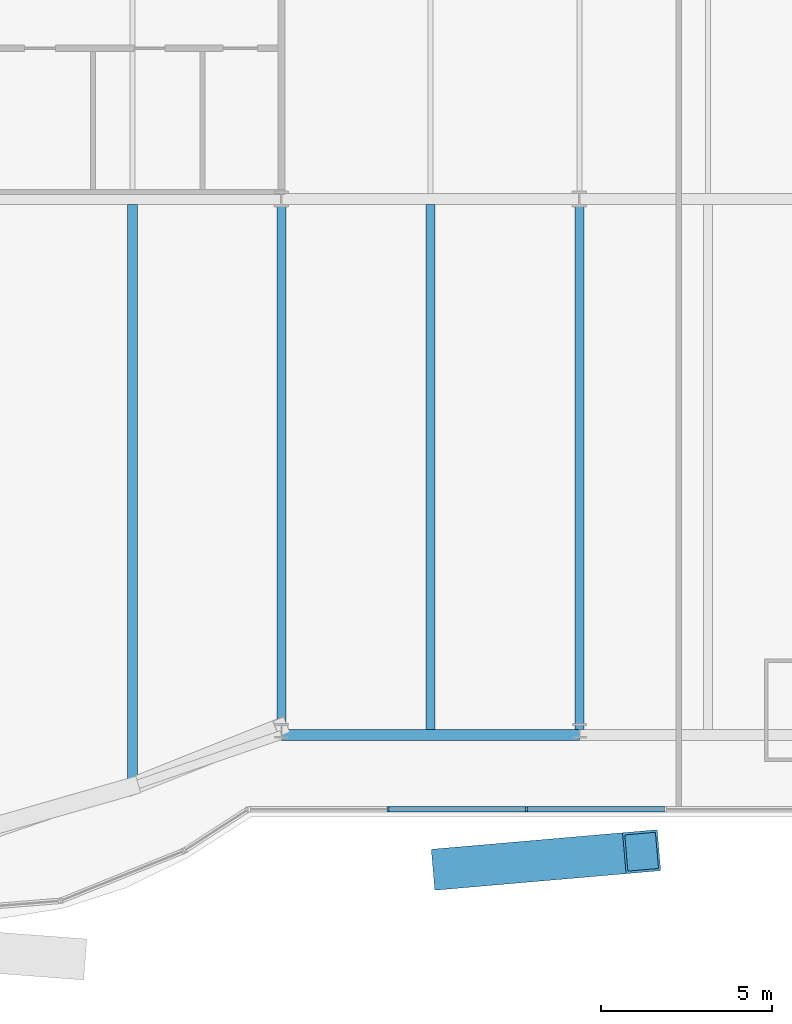
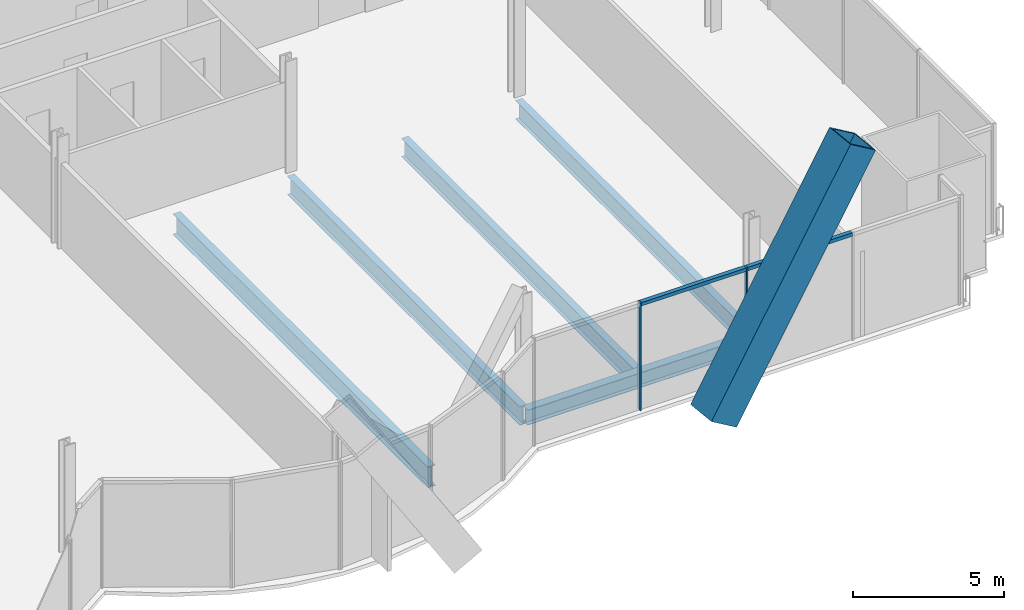
# One storey, part 9 of 22: 5 beams, 5 members, 1 element without a shape of its own.
"""IFC4 building model written with IfcOpenShell, lengths in metres."""

import ifcopenshell
import ifcopenshell.guid

model = None  # the IFC model being written
_history = None  # IfcOwnerHistory: only IFC2X3 demands one
_inside = {}  # id of a spatial element -> (the spatial element, [elements in it])
_under = {}  # id of a project, library or spatial element -> (it, [spatial elements below it])
_declared = {}  # id of a project -> (the project, [libraries it declares])
_typed = {}  # id of a type object -> (the type object, [elements of that type])
_made_of = {}  # id of a material, layer set ... -> (it, [elements and type objects made of it])


def new_model(schema):
    """Start an empty IFC model of exactly this schema.

    Asked for "IFC4X3", IfcOpenShell would pick the latest addendum, in which some entities
    have other attributes; the version numbers below select the first issue.
    IFC2X3 requires an IfcOwnerHistory on every rooted entity: one is made here for all.
    """
    global model, _history
    if schema == "IFC4X3":
        model = ifcopenshell.file(schema_version=(4, 3, 0, 0))
    else:
        model = ifcopenshell.file(schema=schema)
    _inside.clear()
    _under.clear()
    _declared.clear()
    _typed.clear()
    _made_of.clear()
    _history = None
    if model.schema == "IFC2X3":
        org = make("IfcOrganization", Name="unknown")
        user = make(
            "IfcPersonAndOrganization",
            ThePerson=make("IfcPerson", FamilyName="unknown"),
            TheOrganization=org,
        )
        app = make(
            "IfcApplication",
            ApplicationDeveloper=org,
            Version="unknown",
            ApplicationFullName="unknown",
            ApplicationIdentifier="unknown",
        )
        _history = make(
            "IfcOwnerHistory",
            OwningUser=user,
            OwningApplication=app,
            ChangeAction="ADDED",
            CreationDate=0,
        )
    return model


def make(cls, **values):
    """One entity of the class cls with the attributes given. An attribute that is None is left unset."""
    return model.create_entity(
        cls, **{name: value for name, value in values.items() if value is not None}
    )


def rooted(cls, **values):
    """An entity with a GlobalId (a new one), such as an element, a storey or a relation."""
    return make(cls, GlobalId=ifcopenshell.guid.new(), OwnerHistory=_history, **values)


def si_unit(unit_type, name, prefix=None):
    """IfcSIUnit, for example si_unit("LENGTHUNIT", "METRE", prefix="MILLI")."""
    return make("IfcSIUnit", UnitType=unit_type, Prefix=prefix, Name=name)


def assignment(units):
    """IfcUnitAssignment: the units of a project."""
    return None if units is None else make("IfcUnitAssignment", Units=units)


def point(xyz):
    """IfcCartesianPoint."""
    return None if xyz is None else make("IfcCartesianPoint", Coordinates=xyz)


def direction(xyz):
    """IfcDirection."""
    return None if xyz is None else make("IfcDirection", DirectionRatios=xyz)


def frame(location, z_axis=None, x_axis=None):
    """IfcAxis2Placement3D, a coordinate frame: its origin and axes. An axis left out is left unset."""
    return make(
        "IfcAxis2Placement3D",
        Location=point(location),
        Axis=direction(z_axis),
        RefDirection=direction(x_axis),
    )


def frame_2d(location, x_axis=None):
    """IfcAxis2Placement2D, a coordinate frame in the plane: its origin and x axis."""
    return make(
        "IfcAxis2Placement2D", Location=point(location), RefDirection=direction(x_axis)
    )


def origin():
    """The frame at (0, 0, 0) with its axes left unset."""
    return frame((0.0, 0.0, 0.0))


def origin_2d():
    """The frame at (0, 0) in the plane with its x axis left unset."""
    return frame_2d((0.0, 0.0))


def place(relative_to, where):
    """IfcLocalPlacement: puts the frame where relative to a parent placement (None: the world)."""
    return make(
        "IfcLocalPlacement", PlacementRelTo=relative_to, RelativePlacement=where
    )


def context(
    kind, dimensions, precision=None, world=None, true_north=None, identifier=None
):
    """IfcGeometricRepresentationContext, for example the 3D "Model" context."""
    return make(
        "IfcGeometricRepresentationContext",
        ContextIdentifier=identifier,
        ContextType=kind,
        CoordinateSpaceDimension=dimensions,
        Precision=precision,
        WorldCoordinateSystem=world,
        TrueNorth=true_north,
    )


def subcontext(parent, identifier, kind, view, scale=None):
    """IfcGeometricRepresentationSubContext, for example "Body" below "Model"."""
    return make(
        "IfcGeometricRepresentationSubContext",
        ContextIdentifier=identifier,
        ContextType=kind,
        ParentContext=parent,
        TargetScale=scale,
        TargetView=view,
    )


def project(units=None, contexts=None):
    """IfcProject with its units and contexts."""
    return rooted(
        "IfcProject",
        Name="project",
        RepresentationContexts=contexts,
        UnitsInContext=assignment(units),
    )


def spatial(cls, under=None, at=None, **own):
    """A site, building, storey or space (cls), placed at a placement, below another one or the project."""
    s = rooted(cls, ObjectPlacement=at, **own)
    if under is not None:
        _under.setdefault(under.id(), (under, []))[1].append(s)
    return s


def profile(cls, at=None, kind="AREA", **sizes):
    """A parametric profile (cls). Its sizes go by their IFC names, for example OverallWidth=200.0."""
    return make(cls, ProfileType=kind, Position=at, **sizes)


def rectangle(**sizes):
    """IfcRectangleProfileDef."""
    return profile("IfcRectangleProfileDef", **sizes)


def hollow_rectangle(**sizes):
    """IfcRectangleHollowProfileDef."""
    return profile("IfcRectangleHollowProfileDef", **sizes)


def i_section(**sizes):
    """IfcIShapeProfileDef."""
    return profile("IfcIShapeProfileDef", **sizes)


def extrude(swept, where, along, depth):
    """IfcExtrudedAreaSolid: the profile swept, set in the frame where, extruded along a direction by depth."""
    return make(
        "IfcExtrudedAreaSolid",
        SweptArea=swept,
        Position=where,
        ExtrudedDirection=direction(along),
        Depth=depth,
    )


def shape(context_of_items, identifier, shape_type, items):
    """IfcShapeRepresentation: the items that make up one representation, for example the "Body"."""
    return make(
        "IfcShapeRepresentation",
        ContextOfItems=context_of_items,
        RepresentationIdentifier=identifier,
        RepresentationType=shape_type,
        Items=items,
    )


def material(Name=None, Category=None):
    """IfcMaterial."""
    return make("IfcMaterial", Name=Name, Category=Category)


def material_profile(
    of_material, cross_section, Name=None, Category=None, Priority=None
):
    """IfcMaterialProfile: a cross section and its material."""
    return make(
        "IfcMaterialProfile",
        Name=Name,
        Material=of_material,
        Profile=cross_section,
        Priority=Priority,
        Category=Category,
    )


def profile_set(profiles, Name=None, composite=None):
    """IfcMaterialProfileSet."""
    return make(
        "IfcMaterialProfileSet",
        Name=Name,
        MaterialProfiles=profiles,
        CompositeProfile=composite,
    )


def made_of(thing, what):
    """Note that an element or type object is made of a material, layer set ...; save() writes the relation."""
    if what is not None:
        _made_of.setdefault(what.id(), (what, []))[1].append(thing)
    return thing


def type_object(cls, material=None, **own):
    """A type object (cls), such as IfcWallType, which elements share."""
    return made_of(rooted(cls, **own), material)


def element(
    cls,
    number,
    at=None,
    inside=None,
    cuts=None,
    type_object=None,
    material=None,
    context=None,
    identifier="Body",
    shape_type=None,
    held_by="IfcProductDefinitionShape",
    body=None,
    shapes=None,
    **own,
):
    """One element of the class cls, such as IfcWall. Its Tag is "e" and its number.

    at: its placement. inside: the storey or other place that contains it. cuts: it is an
    opening in that element (IfcRelVoidsElement). A single representation is given by context,
    identifier, shape_type and body (its items); several are given by shapes. held_by: the class
    of the entity that holds the representations. save() writes the other relations.
    """
    e = rooted(cls, Tag="e%d" % number, ObjectPlacement=at, **own)
    if body is not None:
        shapes = [shape(context, identifier, shape_type, body)]
    if shapes is not None:
        e.Representation = make(held_by, Representations=shapes)
    if inside is not None:
        _inside.setdefault(inside.id(), (inside, []))[1].append(e)
    if cuts is not None:
        rooted(
            "IfcRelVoidsElement", RelatingBuildingElement=cuts, RelatedOpeningElement=e
        )
    if type_object is not None:
        _typed.setdefault(type_object.id(), (type_object, []))[1].append(e)
    return made_of(e, material)


def aggregate(whole, parts):
    """IfcRelAggregates: a whole, such as a stair, and the parts it consists of."""
    return rooted("IfcRelAggregates", RelatingObject=whole, RelatedObjects=parts)


def save(model, path):
    """Write the relations noted so far, then the file.

    IfcRelAggregates (storeys below a building ...), IfcRelContainedInSpatialStructure (elements
    in a storey), IfcRelDefinesByType, IfcRelAssociatesMaterial and IfcRelDeclares: one each for
    every whole, place, type object, material and project.
    """
    for whole, parts in _under.values():
        aggregate(whole, parts)
    for where, things in _inside.values():
        rooted(
            "IfcRelContainedInSpatialStructure",
            RelatedElements=things,
            RelatingStructure=where,
        )
    for kind, things in _typed.values():
        rooted("IfcRelDefinesByType", RelatedObjects=things, RelatingType=kind)
    for what, things in _made_of.values():
        rooted("IfcRelAssociatesMaterial", RelatedObjects=things, RelatingMaterial=what)
    for by, libraries in _declared.values():
        rooted("IfcRelDeclares", RelatingContext=by, RelatedDefinitions=libraries)
    model.write(path)


model = new_model("IFC4")

# Units and contexts
model_context = context("Model", 3, precision=1e-05, world=origin(), true_north=direction((0.0, 1.0)))
body_context = subcontext(model_context, "Body", "Model", "MODEL_VIEW")
ifc_project = project(units=[si_unit("LENGTHUNIT", "METRE"), si_unit("AREAUNIT", "SQUARE_METRE"), si_unit("VOLUMEUNIT", "CUBIC_METRE"), si_unit("PLANEANGLEUNIT", "RADIAN"), si_unit("MASSUNIT", "GRAM", prefix="KILO")], contexts=[model_context])

# Site, building, storey
site_placement = place(None, origin())
site = spatial("IfcSite", under=ifc_project, at=site_placement, CompositionType="ELEMENT")
building_placement = place(site_placement, origin())
building = spatial("IfcBuilding", under=site, at=building_placement, Name="Bicima Exchange Tower", CompositionType="ELEMENT")
storey_placement = place(building_placement, frame((0.0, 0.0, 71.0)))
storey = spatial("IfcBuildingStorey", under=building, at=storey_placement, Name="L14", CompositionType="ELEMENT", Elevation=71.0)

# Member
ifc_material_1 = material(Name="Steel ASTM A572 Gr 50", Category="steel")
ifc_material_profile_1 = material_profile(ifc_material_1, hollow_rectangle(XDim=1.199951171875, YDim=1.199951171875, WallThickness=0.070068359375, at=origin_2d()))
ifc_profile_set_1 = profile_set([ifc_material_profile_1], Name="Steel ASTM A572 Gr 50")
member_type_1 = type_object("IfcMemberType", Name="Exo mega brace BOX 1200x1200x70", PredefinedType="BRACE", material=ifc_profile_set_1)
member_1_placement = place(storey_placement, frame((22.333251953125, -41.539794921875, 0.14990234375), z_axis=(0.529804339421, 0.045914831689, 0.846876136257), x_axis=(-0.086340124838, 0.996265718994, 0.0)))
element("IfcMember", 1, at=member_1_placement, inside=storey, type_object=member_type_1, Name="Exo mega brace front", PredefinedType="BRACE", context=body_context, shape_type="SweptSolid", body=[
    extrude(hollow_rectangle(XDim=1.199951171875, YDim=1.199951171875, WallThickness=0.070068359375, at=origin_2d()), origin(), (0.0, 0.0, 1.0), 10.538818359375),
])

# Beams
ifc_material_2 = material(Name="Steel ASTM A992 Gr 50", Category="steel")
ifc_material_profile_2 = material_profile(ifc_material_2, i_section(OverallWidth=0.2666015625, OverallDepth=0.75439453125, WebThickness=0.01318359375, FlangeThickness=0.01708984375, at=origin_2d()))
ifc_profile_set_2 = profile_set([ifc_material_profile_2], Name="Steel ASTM A992 Gr 50")
beam_type_1 = type_object("IfcBeamType", Name="Floor beam W30x99", PredefinedType="JOIST", material=ifc_profile_set_2)
beam_1_placement = place(storey_placement, frame((17.39990234375, -22.16259765625, -0.527099609375), z_axis=(0.0, -1.0, 0.0), x_axis=(1.0, 0.0, 0.0)))
element("IfcBeam", 2, at=beam_1_placement, inside=storey, type_object=beam_type_1, Name="Floor beam", PredefinedType="JOIST", context=body_context, shape_type="SweptSolid", body=[
    extrude(i_section(OverallWidth=0.2666015625, OverallDepth=0.75439453125, WebThickness=0.01318359375, FlangeThickness=0.01708984375, at=origin_2d()), origin(), (0.0, 0.0, 1.0), 15.349853515625),
])
for number, where, z_axis, x_axis, name in (
    (3, (21.75, -22.16259765625, -0.527099609375), (0.0, -1.0, 0.0), (1.0, 0.0, 0.0), "Floor beam"),
    (4, (26.10009765625, -22.16259765625, -0.527099609375), (0.0, -1.0, 0.0), (1.0, 0.0, 0.0), "Floor beam"),
):
    element("IfcBeam", number, at=place(storey_placement, frame(where, z_axis=z_axis, x_axis=x_axis)), inside=storey, type_object=beam_type_1, Name=name, PredefinedType="JOIST", context=body_context, shape_type="SweptSolid", body=[
        extrude(i_section(OverallWidth=0.2666015625, OverallDepth=0.75439453125, WebThickness=0.01318359375, FlangeThickness=0.01708984375, at=origin_2d()), origin(), (0.0, 0.0, 1.0), 15.32275390625),
    ])
ifc_material_profile_3 = material_profile(ifc_material_2, i_section(OverallWidth=0.2919921875, OverallDepth=0.835693359375, WebThickness=0.013916015625, FlangeThickness=0.018798828125, at=origin_2d()))
ifc_profile_set_3 = profile_set([ifc_material_profile_3], Name="Steel ASTM A992 Gr 50")
beam_type_2 = type_object("IfcBeamType", Name="Floor beam W33x118", PredefinedType="JOIST", material=ifc_profile_set_3)
beam_2_placement = place(storey_placement, frame((13.050048828125, -22.16259765625, -0.56787109375), z_axis=(0.0, -1.0, 0.0), x_axis=(1.0, 0.0, 0.0)))
element("IfcBeam", 5, at=beam_2_placement, inside=storey, type_object=beam_type_2, Name="Floor beam", PredefinedType="JOIST", context=body_context, shape_type="SweptSolid", body=[
    extrude(i_section(OverallWidth=0.2919921875, OverallDepth=0.835693359375, WebThickness=0.013916015625, FlangeThickness=0.018798828125, at=origin_2d()), origin(), (0.0, 0.0, 1.0), 16.84521484375),
])
ifc_material_profile_4 = material_profile(ifc_material_2, i_section(OverallWidth=0.3251953125, OverallDepth=0.612060546875, WebThickness=0.0126953125, FlangeThickness=0.01904296875, at=origin_2d()))
ifc_profile_set_4 = profile_set([ifc_material_profile_4], Name="Steel ASTM A992 Gr 50")
beam_type_3 = type_object("IfcBeamType", Name="Front girder W24x104", PredefinedType="BEAM", material=ifc_profile_set_4)
beam_3_placement = place(storey_placement, frame((17.39990234375, -37.64794921875, -0.4560546875), z_axis=(1.0, 0.0, 0.0), x_axis=(0.0, 1.0, 0.0)))
element("IfcBeam", 6, at=beam_3_placement, inside=storey, type_object=beam_type_3, Name="Front girder", PredefinedType="BEAM", context=body_context, shape_type="SweptSolid", body=[
    extrude(i_section(OverallWidth=0.3251953125, OverallDepth=0.612060546875, WebThickness=0.0126953125, FlangeThickness=0.01904296875, at=origin_2d()), origin(), (0.0, 0.0, 1.0), 8.7001953125),
])

# Curtain wall, members
ifc_material_3 = material(Name="Anodised bronze aluminium", Category="aluminium")
curtain_wall_type = type_object("IfcCurtainWallType", Name="Front glass wall", PredefinedType="NOTDEFINED", material=ifc_material_3)
curtain_wall_placement = place(storey_placement, origin())
curtain_wall = element("IfcCurtainWall", 7, at=curtain_wall_placement, inside=storey, type_object=curtain_wall_type, Name="Front glass wall L14 run 16", PredefinedType="NOTDEFINED")
ifc_material_profile_5 = material_profile(ifc_material_3, rectangle(XDim=0.159912109375, YDim=0.06005859375, at=origin_2d()))
ifc_profile_set_5 = profile_set([ifc_material_profile_5], Name="Anodised bronze aluminium")
member_type_2 = type_object("IfcMemberType", Name="Front glass wall mullion 60 x 160", PredefinedType="MULLION", material=ifc_profile_set_5)
member_2_placement = place(storey_placement, frame((20.51171875, -39.818115234375, 0.0), z_axis=(0.0, 0.0, 1.0), x_axis=(0.0, 1.0, 0.0)))
member_2 = element("IfcMember", 8, at=member_2_placement, type_object=member_type_2, Name="Front glass wall mullion 2", PredefinedType="MULLION", context=body_context, shape_type="SweptSolid", body=[
    extrude(rectangle(XDim=0.159912109375, YDim=0.06005859375, at=origin_2d()), origin(), (0.0, 0.0, 1.0), 4.35009765625),
])
member_3_placement = place(storey_placement, frame((24.56103515625, -39.818115234375, 0.0), z_axis=(0.0, 0.0, 1.0), x_axis=(0.0, 1.0, 0.0)))
member_3 = element("IfcMember", 9, at=member_3_placement, type_object=member_type_2, Name="Front glass wall mullion 3", PredefinedType="MULLION", context=body_context, shape_type="SweptSolid", body=[
    extrude(rectangle(XDim=0.159912109375, YDim=0.06005859375, at=origin_2d()), origin(), (0.0, 0.0, 1.0), 4.35009765625),
])
ifc_material_profile_6 = material_profile(ifc_material_3, rectangle(XDim=0.159912109375, YDim=0.139892578125, at=origin_2d()))
ifc_profile_set_6 = profile_set([ifc_material_profile_6], Name="Anodised bronze aluminium")
member_type_3 = type_object("IfcMemberType", Name="Front glass wall transom 140 x 160", PredefinedType="USERDEFINED", material=ifc_profile_set_6)
member_4_placement = place(storey_placement, frame((20.54150390625, -39.818115234375, 4.280029296875), z_axis=(1.0, 0.0, 0.0), x_axis=(0.0, 1.0, 0.0)))
member_4 = element("IfcMember", 10, at=member_4_placement, type_object=member_type_3, Name="Front glass wall transom 2.1", ObjectType="TRANSOM", PredefinedType="USERDEFINED", context=body_context, shape_type="SweptSolid", body=[
    extrude(rectangle(XDim=0.159912109375, YDim=0.139892578125, at=origin_2d()), origin(), (0.0, 0.0, 1.0), 3.989501953125),
])
member_5_placement = place(storey_placement, frame((24.591064453125, -39.818115234375, 4.280029296875), z_axis=(1.0, 0.0, 0.0), x_axis=(0.0, 1.0, 0.0)))
member_5 = element("IfcMember", 11, at=member_5_placement, type_object=member_type_3, Name="Front glass wall transom 3.1", ObjectType="TRANSOM", PredefinedType="USERDEFINED", context=body_context, shape_type="SweptSolid", body=[
    extrude(rectangle(XDim=0.159912109375, YDim=0.139892578125, at=origin_2d()), origin(), (0.0, 0.0, 1.0), 3.989501953125),
])
aggregate(curtain_wall, [member_2, member_3, member_4, member_5])

save(model, "model.ifc")
